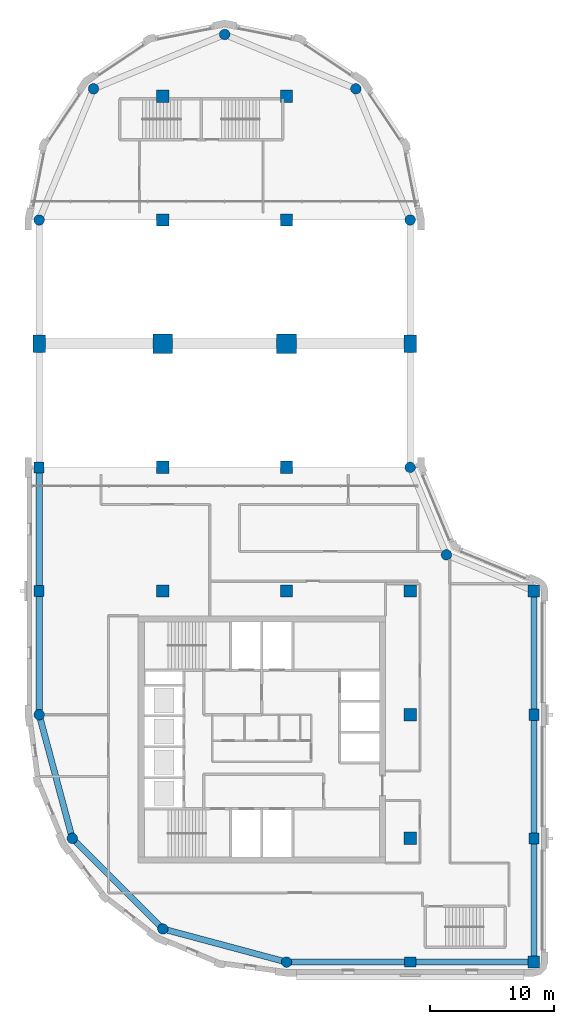
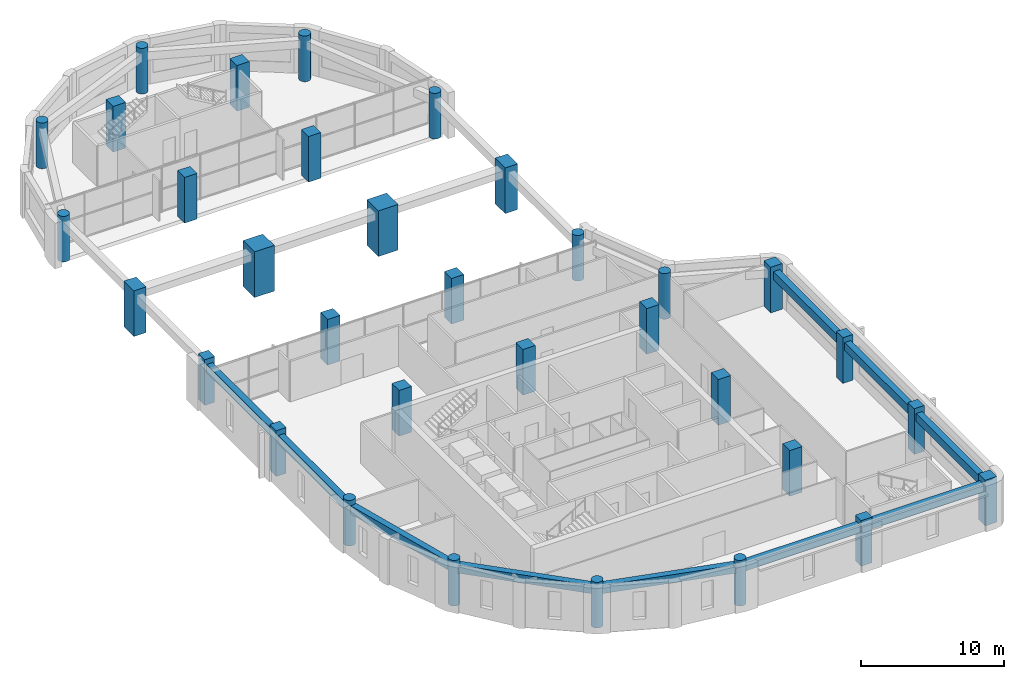
# One storey, part 1 of 11: 33 columns, 10 beams.
"""IFC4 building model written with IfcOpenShell, lengths in metres."""

from ifc_helpers import new_model, si_unit, direction, frame, origin, origin_2d, place, context, subcontext, project, spatial, rectangle, circle, extrude, material, material_profile, profile_set, type_object, element, save


model = new_model("IFC4")

# Units and contexts
model_context = context("Model", 3, precision=1e-05, world=origin(), true_north=direction((0.0, 1.0)))
body_context = subcontext(model_context, "Body", "Model", "MODEL_VIEW")
ifc_project = project(units=[si_unit("LENGTHUNIT", "METRE"), si_unit("AREAUNIT", "SQUARE_METRE"), si_unit("VOLUMEUNIT", "CUBIC_METRE"), si_unit("PLANEANGLEUNIT", "RADIAN"), si_unit("MASSUNIT", "GRAM", prefix="KILO")], contexts=[model_context])

# Site, building, storey
site_placement = place(None, origin())
site = spatial("IfcSite", under=ifc_project, at=site_placement, CompositionType="ELEMENT")
building_placement = place(site_placement, origin())
building = spatial("IfcBuilding", under=site, at=building_placement, Name="Qaws Garden Tower", CompositionType="ELEMENT")
storey_placement = place(building_placement, frame((0.0, 0.0, 329.39990234375)))
storey = spatial("IfcBuildingStorey", under=building, at=storey_placement, Name="L80", CompositionType="ELEMENT", Elevation=329.39990234375)

# Columns
ifc_material_1 = material(Name="Concrete C60", Category="concrete")
ifc_material_profile_1 = material_profile(ifc_material_1, rectangle(XDim=1.0, YDim=1.0, at=origin_2d()), Name="RC 1000x1000")
ifc_profile_set_1 = profile_set([ifc_material_profile_1], Name="Concrete C60")
column_type_1 = type_object("IfcColumnType", Name="Column RC 1000x1000 C60", PredefinedType="COLUMN", material=ifc_profile_set_1)
for number, where, z_axis, x_axis, name in (
    (1, (10.0, 30.0, 0.0), (0.0, 0.0, 1.0), (1.0, 0.0, 0.0), "Column L80-021"),
    (2, (10.0, 40.0, 0.0), (0.0, 0.0, 1.0), (1.0, 0.0, 0.0), "Column L80-022"),
    (3, (10.0, 60.0, 0.0), (0.0, 0.0, 1.0), (1.0, 0.0, 0.0), "Column L80-024"),
    (4, (10.0, 70.0, 0.0), (0.0, 0.0, 1.0), (1.0, 0.0, 0.0), "Column L80-025"),
    (5, (20.0, 30.0, 0.0), (0.0, 0.0, 1.0), (1.0, 0.0, 0.0), "Column L80-026"),
    (6, (20.0, 40.0, 0.0), (0.0, 0.0, 1.0), (1.0, 0.0, 0.0), "Column L80-027"),
    (7, (20.0, 60.0, 0.0), (0.0, 0.0, 1.0), (1.0, 0.0, 0.0), "Column L80-029"),
    (8, (20.0, 70.0, 0.0), (0.0, 0.0, 1.0), (1.0, 0.0, 0.0), "Column L80-030"),
    (9, (30.0, 10.0, 0.0), (0.0, 0.0, 1.0), (1.0, 0.0, 0.0), "Column L80-031"),
    (10, (30.0, 20.0, 0.0), (0.0, 0.0, 1.0), (1.0, 0.0, 0.0), "Column L80-032"),
    (11, (30.0, 30.0, 0.0), (0.0, 0.0, 1.0), (1.0, 0.0, 0.0), "Column L80-033"),
):
    element("IfcColumn", number, at=place(storey_placement, frame(where, z_axis=z_axis, x_axis=x_axis)), inside=storey, type_object=column_type_1, Name=name, PredefinedType="COLUMN", context=body_context, shape_type="SweptSolid", body=[
        extrude(rectangle(XDim=1.0, YDim=1.0, at=origin_2d()), origin(), (0.0, 0.0, 1.0), 3.900146484375),
    ])
ifc_material_2 = material(Name="Concrete C60", Category="concrete")
ifc_material_profile_2 = material_profile(ifc_material_2, rectangle(XDim=1.39990234375, YDim=1.0, at=origin_2d()), Name="RC 1400x1000")
ifc_profile_set_2 = profile_set([ifc_material_profile_2], Name="Concrete C60")
column_type_2 = type_object("IfcColumnType", Name="Column RC 1400x1000 C60", PredefinedType="COLUMN", material=ifc_profile_set_2)
for number, where, z_axis, x_axis, name in (
    (12, (30.0, 50.0, 0.0), (0.0, 0.0, 1.0), (0.0, 1.0, 0.0), "Column L80-009"),
    (13, (0.0, 50.0, 0.0), (0.0, 0.0, 1.0), (0.0, 1.0, 0.0), "Column L80-015"),
):
    element("IfcColumn", number, at=place(storey_placement, frame(where, z_axis=z_axis, x_axis=x_axis)), inside=storey, type_object=column_type_2, Name=name, PredefinedType="COLUMN", context=body_context, shape_type="SweptSolid", body=[
        extrude(rectangle(XDim=1.39990234375, YDim=1.0, at=origin_2d()), origin(), (0.0, 0.0, 1.0), 3.900146484375),
    ])
ifc_material_3 = material(Name="Concrete C60", Category="concrete")
ifc_material_profile_3 = material_profile(ifc_material_3, rectangle(XDim=1.60009765625, YDim=1.60009765625, at=origin_2d()), Name="RC 1600x1600")
ifc_profile_set_3 = profile_set([ifc_material_profile_3], Name="Concrete C60")
column_type_3 = type_object("IfcColumnType", Name="Column RC 1600x1600 C60", PredefinedType="COLUMN", material=ifc_profile_set_3)
for number, where, z_axis, x_axis, name in (
    (14, (10.0, 50.0, 0.0), (0.0, 0.0, 1.0), (1.0, 0.0, 0.0), "Column L80-023"),
    (15, (20.0, 50.0, 0.0), (0.0, 0.0, 1.0), (1.0, 0.0, 0.0), "Column L80-028"),
):
    element("IfcColumn", number, at=place(storey_placement, frame(where, z_axis=z_axis, x_axis=x_axis)), inside=storey, type_object=column_type_3, Name=name, PredefinedType="COLUMN", context=body_context, shape_type="SweptSolid", body=[
        extrude(rectangle(XDim=1.60009765625, YDim=1.60009765625, at=origin_2d()), origin(), (0.0, 0.0, 1.0), 3.900146484375),
    ])
ifc_material_4 = material(Name="Concrete C60", Category="concrete")
ifc_material_profile_4 = material_profile(ifc_material_4, rectangle(XDim=0.89990234375, YDim=0.800048828125, at=origin_2d()), Name="RC 900x800")
ifc_profile_set_4 = profile_set([ifc_material_profile_4], Name="Concrete C60")
column_type_4 = type_object("IfcColumnType", Name="Column RC 900x800 C60", PredefinedType="COLUMN", material=ifc_profile_set_4)
for number, where, z_axis, x_axis, name in (
    (16, (30.0, 0.0, 0.0), (0.0, 0.0, 1.0), (1.0, 0.0, 0.0), "Column L80-002"),
    (17, (40.0, 10.0, 0.0), (0.0, 0.0, 1.0), (0.0, 1.0, 0.0), "Column L80-004"),
    (18, (40.0, 20.0, 0.0), (0.0, 0.0, 1.0), (0.0, 1.0, 0.0), "Column L80-005"),
    (19, (0.0, 40.0, 0.0), (0.0, 0.0, 1.0), (0.0, 1.0, 0.0), "Column L80-016"),
    (20, (0.0, 30.0, 0.0), (0.0, 0.0, 1.0), (0.0, 1.0, 0.0), "Column L80-017"),
):
    element("IfcColumn", number, at=place(storey_placement, frame(where, z_axis=z_axis, x_axis=x_axis)), inside=storey, type_object=column_type_4, Name=name, PredefinedType="COLUMN", context=body_context, shape_type="SweptSolid", body=[
        extrude(rectangle(XDim=0.89990234375, YDim=0.800048828125, at=origin_2d()), origin(), (0.0, 0.0, 1.0), 3.900146484375),
    ])
ifc_material_5 = material(Name="Concrete C60", Category="concrete")
ifc_material_profile_5 = material_profile(ifc_material_5, rectangle(XDim=0.949951171875, YDim=0.949951171875, at=origin_2d()), Name="RC 950x950")
ifc_profile_set_5 = profile_set([ifc_material_profile_5], Name="Concrete C60")
column_type_5 = type_object("IfcColumnType", Name="Column RC 950x950 C60", PredefinedType="COLUMN", material=ifc_profile_set_5)
for number, where, z_axis, x_axis, name in (
    (21, (40.0, 0.0, 0.0), (0.0, 0.0, 1.0), (1.0, 0.0, 0.0), "Column L80-003"),
    (22, (40.0, 30.0, 0.0), (0.0, 0.0, 1.0), (1.0, 0.0, 0.0), "Column L80-006"),
):
    element("IfcColumn", number, at=place(storey_placement, frame(where, z_axis=z_axis, x_axis=x_axis)), inside=storey, type_object=column_type_5, Name=name, PredefinedType="COLUMN", context=body_context, shape_type="SweptSolid", body=[
        extrude(rectangle(XDim=0.949951171875, YDim=0.949951171875, at=origin_2d()), origin(), (0.0, 0.0, 1.0), 3.900146484375),
    ])
ifc_material_6 = material(Name="Concrete C60", Category="concrete")
ifc_material_profile_6 = material_profile(ifc_material_6, circle(Radius=0.425048828125, at=origin_2d()), Name="RC D850")
ifc_profile_set_6 = profile_set([ifc_material_profile_6], Name="Concrete C60")
column_type_6 = type_object("IfcColumnType", Name="Column RC D850 C60", PredefinedType="COLUMN", material=ifc_profile_set_6)
for number, where, z_axis, x_axis, name in (
    (23, (20.0, 0.0, 0.0), (0.0, 0.0, 1.0), (1.0, 0.0, 0.0), "Column L80-001"),
    (24, (32.928955078125, 32.928955078125, 0.0), (0.0, 0.0, 1.0), (1.0, 0.0, 0.0), "Column L80-007"),
    (25, (30.0, 40.0, 0.0), (0.0, 0.0, 1.0), (1.0, 0.0, 0.0), "Column L80-008"),
    (26, (30.0, 60.0, 0.0), (0.0, 0.0, 1.0), (1.0, 0.0, 0.0), "Column L80-010"),
    (27, (25.606689453125, 70.606689453125, 0.0), (0.0, 0.0, 1.0), (1.0, 0.0, 0.0), "Column L80-011"),
    (28, (15.0, 75.0, 0.0), (0.0, 0.0, 1.0), (1.0, 0.0, 0.0), "Column L80-012"),
    (29, (4.393310546875, 70.606689453125, 0.0), (0.0, 0.0, 1.0), (1.0, 0.0, 0.0), "Column L80-013"),
    (30, (0.0, 60.0, 0.0), (0.0, 0.0, 1.0), (1.0, 0.0, 0.0), "Column L80-014"),
    (31, (0.0, 20.0, 0.0), (0.0, 0.0, 1.0), (1.0, 0.0, 0.0), "Column L80-018"),
    (32, (2.679443359375, 10.0, 0.0), (0.0, 0.0, 1.0), (1.0, 0.0, 0.0), "Column L80-019"),
    (33, (10.0, 2.679443359375, 0.0), (0.0, 0.0, 1.0), (1.0, 0.0, 0.0), "Column L80-020"),
):
    element("IfcColumn", number, at=place(storey_placement, frame(where, z_axis=z_axis, x_axis=x_axis)), inside=storey, type_object=column_type_6, Name=name, PredefinedType="COLUMN", context=body_context, shape_type="SweptSolid", body=[
        extrude(circle(Radius=0.425048828125, at=origin_2d()), origin(), (0.0, 0.0, 1.0), 3.900146484375),
    ])

# Beams
ifc_material_7 = material(Name="Concrete C45", Category="concrete")
ifc_material_profile_7 = material_profile(ifc_material_7, rectangle(XDim=0.5, YDim=0.699951171875, at=origin_2d()), Name="RC 500x700")
ifc_profile_set_7 = profile_set([ifc_material_profile_7], Name="Concrete C45")
beam_type = type_object("IfcBeamType", Name="Spandrel beam RC 500x700 C45", PredefinedType="SPANDREL", material=ifc_profile_set_7)
for number, where, z_axis, x_axis, name in (
    (34, (20.0, 0.0, 3.10009765625), (1.0, 0.0, 0.0), (0.0, 1.0, 0.0), "Spandrel beam L80-001"),
    (35, (30.0, 0.0, 3.10009765625), (1.0, 0.0, 0.0), (0.0, 1.0, 0.0), "Spandrel beam L80-002"),
    (36, (40.0, 0.0, 3.10009765625), (0.0, 1.0, 0.0), (-1.0, 0.0, 0.0), "Spandrel beam L80-003"),
    (37, (40.0, 10.0, 3.10009765625), (0.0, 1.0, 0.0), (-1.0, 0.0, 0.0), "Spandrel beam L80-004"),
    (38, (40.0, 20.0, 3.10009765625), (0.0, 1.0, 0.0), (-1.0, 0.0, 0.0), "Spandrel beam L80-005"),
    (39, (0.0, 40.0, 3.10009765625), (0.0, -1.0, 0.0), (1.0, 0.0, 0.0), "Spandrel beam L80-016"),
    (40, (0.0, 30.0, 3.10009765625), (0.0, -1.0, 0.0), (1.0, 0.0, 0.0), "Spandrel beam L80-017"),
):
    element("IfcBeam", number, at=place(storey_placement, frame(where, z_axis=z_axis, x_axis=x_axis)), inside=storey, type_object=beam_type, Name=name, PredefinedType="SPANDREL", context=body_context, shape_type="SweptSolid", body=[
        extrude(rectangle(XDim=0.5, YDim=0.699951171875, at=origin_2d()), origin(), (0.0, 0.0, 1.0), 10.0),
    ])
for number, where, z_axis, x_axis, name in (
    (41, (0.0, 20.0, 3.10009765625), (0.25881466832, -0.965926999034, 0.0), (0.965926999034, 0.25881466832, 0.0), "Spandrel beam L80-018"),
    (42, (2.679443359375, 10.0, 3.10009765625), (0.707106781187, -0.707106781187, 0.0), (0.707106781187, 0.707106781187, 0.0), "Spandrel beam L80-019"),
    (43, (10.0, 2.679443359375, 3.10009765625), (0.965926999034, -0.25881466832, 0.0), (0.25881466832, 0.965926999034, 0.0), "Spandrel beam L80-020"),
):
    element("IfcBeam", number, at=place(storey_placement, frame(where, z_axis=z_axis, x_axis=x_axis)), inside=storey, type_object=beam_type, Name=name, PredefinedType="SPANDREL", context=body_context, shape_type="SweptSolid", body=[
        extrude(rectangle(XDim=0.5, YDim=0.699951171875, at=origin_2d()), origin(), (0.0, 0.0, 1.0), 10.352783203125),
    ])

save(model, "model.ifc")
